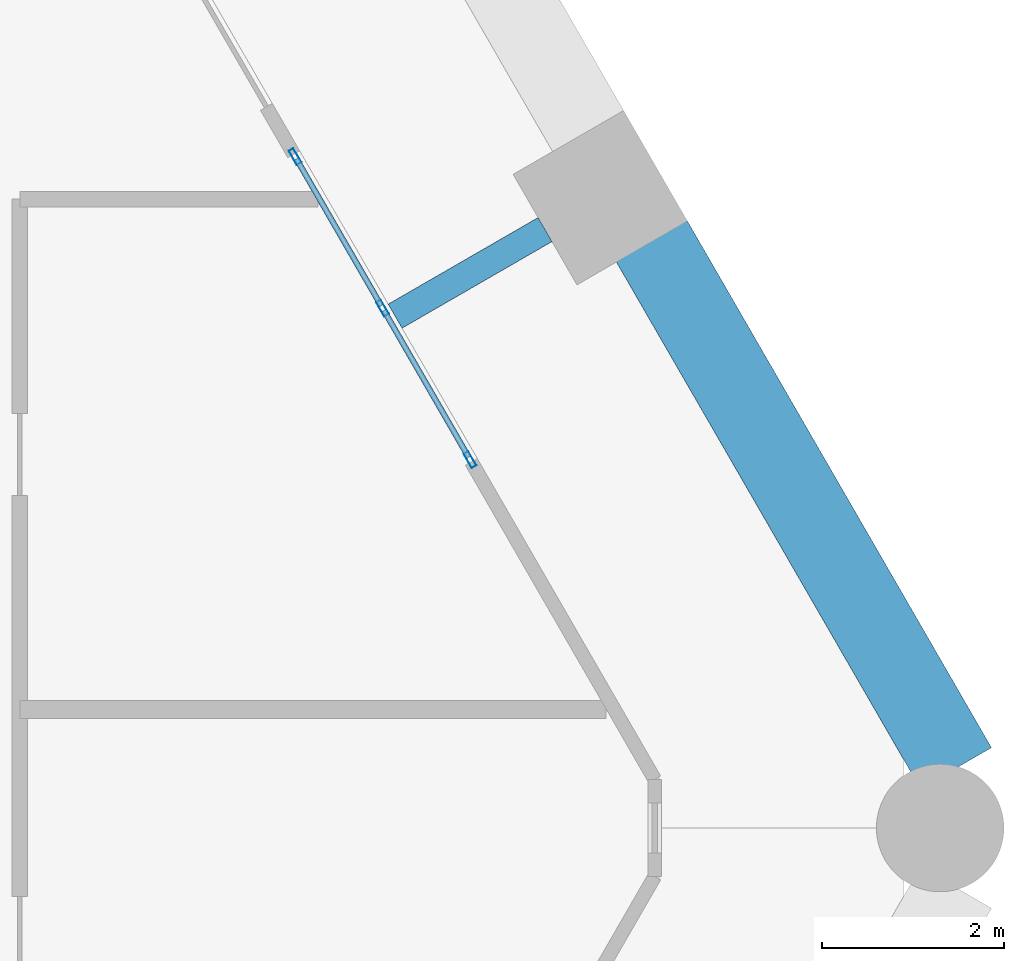
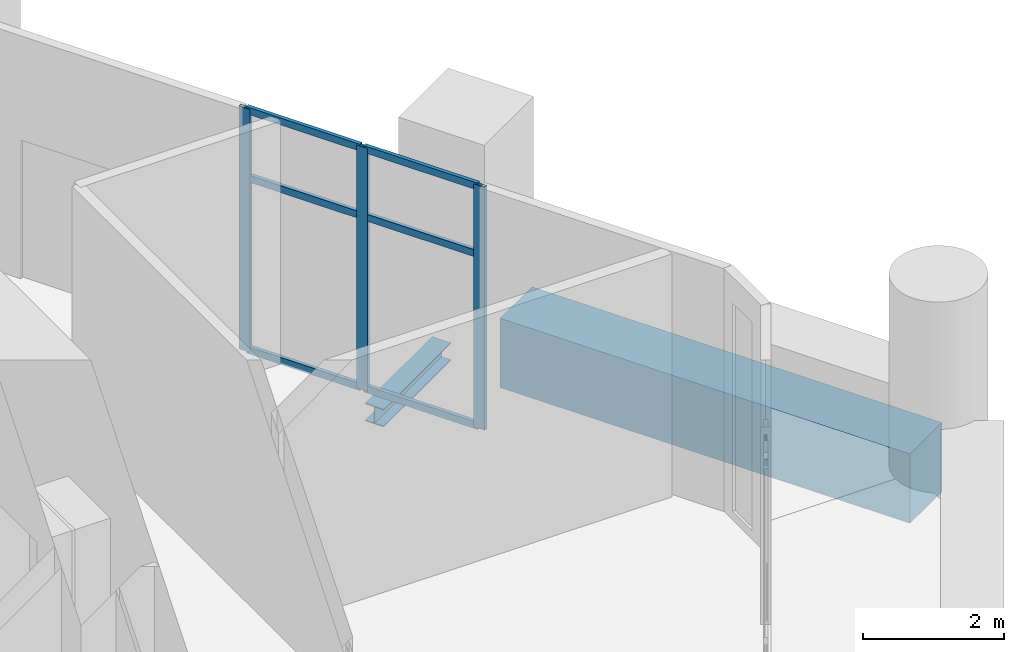
# One storey, part 8 of 18: 9 members, 2 beams, 1 element without a shape of its own.
"""IFC4 building model written with IfcOpenShell, lengths in metres."""

import ifcopenshell
import ifcopenshell.guid

model = None  # the IFC model being written
_history = None  # IfcOwnerHistory: only IFC2X3 demands one
_inside = {}  # id of a spatial element -> (the spatial element, [elements in it])
_under = {}  # id of a project, library or spatial element -> (it, [spatial elements below it])
_declared = {}  # id of a project -> (the project, [libraries it declares])
_typed = {}  # id of a type object -> (the type object, [elements of that type])
_made_of = {}  # id of a material, layer set ... -> (it, [elements and type objects made of it])


def new_model(schema):
    """Start an empty IFC model of exactly this schema.

    Asked for "IFC4X3", IfcOpenShell would pick the latest addendum, in which some entities
    have other attributes; the version numbers below select the first issue.
    IFC2X3 requires an IfcOwnerHistory on every rooted entity: one is made here for all.
    """
    global model, _history
    if schema == "IFC4X3":
        model = ifcopenshell.file(schema_version=(4, 3, 0, 0))
    else:
        model = ifcopenshell.file(schema=schema)
    _inside.clear()
    _under.clear()
    _declared.clear()
    _typed.clear()
    _made_of.clear()
    _history = None
    if model.schema == "IFC2X3":
        org = make("IfcOrganization", Name="unknown")
        user = make(
            "IfcPersonAndOrganization",
            ThePerson=make("IfcPerson", FamilyName="unknown"),
            TheOrganization=org,
        )
        app = make(
            "IfcApplication",
            ApplicationDeveloper=org,
            Version="unknown",
            ApplicationFullName="unknown",
            ApplicationIdentifier="unknown",
        )
        _history = make(
            "IfcOwnerHistory",
            OwningUser=user,
            OwningApplication=app,
            ChangeAction="ADDED",
            CreationDate=0,
        )
    return model


def make(cls, **values):
    """One entity of the class cls with the attributes given. An attribute that is None is left unset."""
    return model.create_entity(
        cls, **{name: value for name, value in values.items() if value is not None}
    )


def rooted(cls, **values):
    """An entity with a GlobalId (a new one), such as an element, a storey or a relation."""
    return make(cls, GlobalId=ifcopenshell.guid.new(), OwnerHistory=_history, **values)


def si_unit(unit_type, name, prefix=None):
    """IfcSIUnit, for example si_unit("LENGTHUNIT", "METRE", prefix="MILLI")."""
    return make("IfcSIUnit", UnitType=unit_type, Prefix=prefix, Name=name)


def assignment(units):
    """IfcUnitAssignment: the units of a project."""
    return None if units is None else make("IfcUnitAssignment", Units=units)


def point(xyz):
    """IfcCartesianPoint."""
    return None if xyz is None else make("IfcCartesianPoint", Coordinates=xyz)


def direction(xyz):
    """IfcDirection."""
    return None if xyz is None else make("IfcDirection", DirectionRatios=xyz)


def frame(location, z_axis=None, x_axis=None):
    """IfcAxis2Placement3D, a coordinate frame: its origin and axes. An axis left out is left unset."""
    return make(
        "IfcAxis2Placement3D",
        Location=point(location),
        Axis=direction(z_axis),
        RefDirection=direction(x_axis),
    )


def frame_2d(location, x_axis=None):
    """IfcAxis2Placement2D, a coordinate frame in the plane: its origin and x axis."""
    return make(
        "IfcAxis2Placement2D", Location=point(location), RefDirection=direction(x_axis)
    )


def origin():
    """The frame at (0, 0, 0) with its axes left unset."""
    return frame((0.0, 0.0, 0.0))


def origin_2d():
    """The frame at (0, 0) in the plane with its x axis left unset."""
    return frame_2d((0.0, 0.0))


def place(relative_to, where):
    """IfcLocalPlacement: puts the frame where relative to a parent placement (None: the world)."""
    return make(
        "IfcLocalPlacement", PlacementRelTo=relative_to, RelativePlacement=where
    )


def context(
    kind, dimensions, precision=None, world=None, true_north=None, identifier=None
):
    """IfcGeometricRepresentationContext, for example the 3D "Model" context."""
    return make(
        "IfcGeometricRepresentationContext",
        ContextIdentifier=identifier,
        ContextType=kind,
        CoordinateSpaceDimension=dimensions,
        Precision=precision,
        WorldCoordinateSystem=world,
        TrueNorth=true_north,
    )


def subcontext(parent, identifier, kind, view, scale=None):
    """IfcGeometricRepresentationSubContext, for example "Body" below "Model"."""
    return make(
        "IfcGeometricRepresentationSubContext",
        ContextIdentifier=identifier,
        ContextType=kind,
        ParentContext=parent,
        TargetScale=scale,
        TargetView=view,
    )


def project(units=None, contexts=None):
    """IfcProject with its units and contexts."""
    return rooted(
        "IfcProject",
        Name="project",
        RepresentationContexts=contexts,
        UnitsInContext=assignment(units),
    )


def spatial(cls, under=None, at=None, **own):
    """A site, building, storey or space (cls), placed at a placement, below another one or the project."""
    s = rooted(cls, ObjectPlacement=at, **own)
    if under is not None:
        _under.setdefault(under.id(), (under, []))[1].append(s)
    return s


def profile(cls, at=None, kind="AREA", **sizes):
    """A parametric profile (cls). Its sizes go by their IFC names, for example OverallWidth=200.0."""
    return make(cls, ProfileType=kind, Position=at, **sizes)


def rectangle(**sizes):
    """IfcRectangleProfileDef."""
    return profile("IfcRectangleProfileDef", **sizes)


def hollow_rectangle(**sizes):
    """IfcRectangleHollowProfileDef."""
    return profile("IfcRectangleHollowProfileDef", **sizes)


def i_section(**sizes):
    """IfcIShapeProfileDef."""
    return profile("IfcIShapeProfileDef", **sizes)


def extrude(swept, where, along, depth):
    """IfcExtrudedAreaSolid: the profile swept, set in the frame where, extruded along a direction by depth."""
    return make(
        "IfcExtrudedAreaSolid",
        SweptArea=swept,
        Position=where,
        ExtrudedDirection=direction(along),
        Depth=depth,
    )


def shape(context_of_items, identifier, shape_type, items):
    """IfcShapeRepresentation: the items that make up one representation, for example the "Body"."""
    return make(
        "IfcShapeRepresentation",
        ContextOfItems=context_of_items,
        RepresentationIdentifier=identifier,
        RepresentationType=shape_type,
        Items=items,
    )


def material(Name=None, Category=None):
    """IfcMaterial."""
    return make("IfcMaterial", Name=Name, Category=Category)


def material_profile(
    of_material, cross_section, Name=None, Category=None, Priority=None
):
    """IfcMaterialProfile: a cross section and its material."""
    return make(
        "IfcMaterialProfile",
        Name=Name,
        Material=of_material,
        Profile=cross_section,
        Priority=Priority,
        Category=Category,
    )


def profile_set(profiles, Name=None, composite=None):
    """IfcMaterialProfileSet."""
    return make(
        "IfcMaterialProfileSet",
        Name=Name,
        MaterialProfiles=profiles,
        CompositeProfile=composite,
    )


def made_of(thing, what):
    """Note that an element or type object is made of a material, layer set ...; save() writes the relation."""
    if what is not None:
        _made_of.setdefault(what.id(), (what, []))[1].append(thing)
    return thing


def type_object(cls, material=None, **own):
    """A type object (cls), such as IfcWallType, which elements share."""
    return made_of(rooted(cls, **own), material)


def element(
    cls,
    number,
    at=None,
    inside=None,
    cuts=None,
    type_object=None,
    material=None,
    context=None,
    identifier="Body",
    shape_type=None,
    held_by="IfcProductDefinitionShape",
    body=None,
    shapes=None,
    **own,
):
    """One element of the class cls, such as IfcWall. Its Tag is "e" and its number.

    at: its placement. inside: the storey or other place that contains it. cuts: it is an
    opening in that element (IfcRelVoidsElement). A single representation is given by context,
    identifier, shape_type and body (its items); several are given by shapes. held_by: the class
    of the entity that holds the representations. save() writes the other relations.
    """
    e = rooted(cls, Tag="e%d" % number, ObjectPlacement=at, **own)
    if body is not None:
        shapes = [shape(context, identifier, shape_type, body)]
    if shapes is not None:
        e.Representation = make(held_by, Representations=shapes)
    if inside is not None:
        _inside.setdefault(inside.id(), (inside, []))[1].append(e)
    if cuts is not None:
        rooted(
            "IfcRelVoidsElement", RelatingBuildingElement=cuts, RelatedOpeningElement=e
        )
    if type_object is not None:
        _typed.setdefault(type_object.id(), (type_object, []))[1].append(e)
    return made_of(e, material)


def aggregate(whole, parts):
    """IfcRelAggregates: a whole, such as a stair, and the parts it consists of."""
    return rooted("IfcRelAggregates", RelatingObject=whole, RelatedObjects=parts)


def save(model, path):
    """Write the relations noted so far, then the file.

    IfcRelAggregates (storeys below a building ...), IfcRelContainedInSpatialStructure (elements
    in a storey), IfcRelDefinesByType, IfcRelAssociatesMaterial and IfcRelDeclares: one each for
    every whole, place, type object, material and project.
    """
    for whole, parts in _under.values():
        aggregate(whole, parts)
    for where, things in _inside.values():
        rooted(
            "IfcRelContainedInSpatialStructure",
            RelatedElements=things,
            RelatingStructure=where,
        )
    for kind, things in _typed.values():
        rooted("IfcRelDefinesByType", RelatedObjects=things, RelatingType=kind)
    for what, things in _made_of.values():
        rooted("IfcRelAssociatesMaterial", RelatedObjects=things, RelatingMaterial=what)
    for by, libraries in _declared.values():
        rooted("IfcRelDeclares", RelatingContext=by, RelatedDefinitions=libraries)
    model.write(path)


model = new_model("IFC4")

# Units and contexts
model_context = context("Model", 3, precision=1e-05, world=origin(), true_north=direction((0.0, 1.0)))
body_context = subcontext(model_context, "Body", "Model", "MODEL_VIEW")
ifc_project = project(units=[si_unit("LENGTHUNIT", "METRE"), si_unit("AREAUNIT", "SQUARE_METRE"), si_unit("VOLUMEUNIT", "CUBIC_METRE"), si_unit("PLANEANGLEUNIT", "RADIAN"), si_unit("MASSUNIT", "GRAM", prefix="KILO")], contexts=[model_context])

# Site, building, storey
site_placement = place(None, origin())
site = spatial("IfcSite", under=ifc_project, at=site_placement, CompositionType="ELEMENT")
building_placement = place(site_placement, origin())
building = spatial("IfcBuilding", under=site, at=building_placement, Name="Ostrander Bayou Hotel Tower", CompositionType="ELEMENT")
storey_placement = place(building_placement, frame((0.0, 0.0, 14.5)))
storey = spatial("IfcBuildingStorey", under=building, at=storey_placement, Name="L03", CompositionType="ELEMENT", Elevation=14.5)

# Curtain wall, members
ifc_material_1 = material(Name="Aluminium and clear glass", Category="aluminium")
curtain_wall_type = type_object("IfcCurtainWallType", Name="CW-SKY amenity glass wall", PredefinedType="NOTDEFINED", material=ifc_material_1)
curtain_wall_placement = place(storey_placement, origin())
curtain_wall = element("IfcCurtainWall", 1, at=curtain_wall_placement, inside=storey, type_object=curtain_wall_type, Name="CW-SKY L03 NE 2", PredefinedType="NOTDEFINED")
ifc_material_2 = material(Name="Aluminium", Category="aluminium")
ifc_material_profile_1 = material_profile(ifc_material_2, hollow_rectangle(XDim=0.06005859375, YDim=0.179931640625, WallThickness=0.00390625, at=origin_2d()))
ifc_profile_set_1 = profile_set([ifc_material_profile_1], Name="Aluminium")
member_type_1 = type_object("IfcMemberType", Name="CW-SK mullion 60 x 180 mm", PredefinedType="MULLION", material=ifc_profile_set_1)
member_1_placement = place(storey_placement, frame((18.94140625, 4.042236328125, 0.0), z_axis=(0.0, 0.0, 1.0), x_axis=(-0.866025463091, -0.499999897278, 0.0)))
member_1 = element("IfcMember", 2, at=member_1_placement, type_object=member_type_1, Name="CW-SKY mullion 1", PredefinedType="MULLION", context=body_context, shape_type="SweptSolid", body=[
    extrude(hollow_rectangle(XDim=0.06005859375, YDim=0.179931640625, WallThickness=0.00390625, at=origin_2d()), origin(), (0.0, 0.0, 1.0), 4.199951171875),
])
member_2_placement = place(storey_placement, frame((17.9814453125, 5.705078125, 0.0), z_axis=(0.0, 0.0, 1.0), x_axis=(-0.866025463091, -0.499999897278, 0.0)))
member_2 = element("IfcMember", 3, at=member_2_placement, type_object=member_type_1, Name="CW-SKY mullion 2", PredefinedType="MULLION", context=body_context, shape_type="SweptSolid", body=[
    extrude(hollow_rectangle(XDim=0.06005859375, YDim=0.179931640625, WallThickness=0.00390625, at=origin_2d()), origin(), (0.0, 0.0, 1.0), 4.199951171875),
])
member_3_placement = place(storey_placement, frame((17.021484375, 7.367919921875, 0.0), z_axis=(0.0, 0.0, 1.0), x_axis=(-0.866025463091, -0.499999897278, 0.0)))
member_3 = element("IfcMember", 4, at=member_3_placement, type_object=member_type_1, Name="CW-SKY mullion 3", PredefinedType="MULLION", context=body_context, shape_type="SweptSolid", body=[
    extrude(hollow_rectangle(XDim=0.06005859375, YDim=0.179931640625, WallThickness=0.00390625, at=origin_2d()), origin(), (0.0, 0.0, 1.0), 4.199951171875),
])
ifc_material_3 = material(Name="Aluminium", Category="aluminium")
ifc_material_profile_2 = material_profile(ifc_material_3, hollow_rectangle(XDim=0.06005859375, YDim=0.1201171875, WallThickness=0.00390625, at=origin_2d()))
ifc_profile_set_2 = profile_set([ifc_material_profile_2], Name="Aluminium")
member_type_2 = type_object("IfcMemberType", Name="CW-SK transom 60 x 120 mm", PredefinedType="USERDEFINED", material=ifc_profile_set_2)
member_4_placement = place(storey_placement, frame((18.926513671875, 4.068359375, 0.030029296875), z_axis=(-0.500021687003, 0.866012882425, 0.0), x_axis=(-0.866012882425, -0.500021687003, 0.0)))
member_4 = element("IfcMember", 5, at=member_4_placement, type_object=member_type_2, Name="CW-SKY transom 1.1", ObjectType="TRANSOM", PredefinedType="USERDEFINED", context=body_context, shape_type="SweptSolid", body=[
    extrude(hollow_rectangle(XDim=0.06005859375, YDim=0.1201171875, WallThickness=0.00390625, at=origin_2d()), origin(), (0.0, 0.0, 1.0), 1.85986328125),
])
member_5_placement = place(storey_placement, frame((18.926513671875, 4.068359375, 3.0), z_axis=(-0.500021687003, 0.866012882425, 0.0), x_axis=(-0.866012882425, -0.500021687003, 0.0)))
member_5 = element("IfcMember", 6, at=member_5_placement, type_object=member_type_2, Name="CW-SKY transom 1.2", ObjectType="TRANSOM", PredefinedType="USERDEFINED", context=body_context, shape_type="SweptSolid", body=[
    extrude(hollow_rectangle(XDim=0.06005859375, YDim=0.1201171875, WallThickness=0.00390625, at=origin_2d()), origin(), (0.0, 0.0, 1.0), 1.85986328125),
])
member_6_placement = place(storey_placement, frame((18.926513671875, 4.068359375, 4.169921875), z_axis=(-0.500021687003, 0.866012882425, 0.0), x_axis=(-0.866012882425, -0.500021687003, 0.0)))
member_6 = element("IfcMember", 7, at=member_6_placement, type_object=member_type_2, Name="CW-SKY transom 1.3", ObjectType="TRANSOM", PredefinedType="USERDEFINED", context=body_context, shape_type="SweptSolid", body=[
    extrude(hollow_rectangle(XDim=0.06005859375, YDim=0.1201171875, WallThickness=0.00390625, at=origin_2d()), origin(), (0.0, 0.0, 1.0), 1.85986328125),
])
member_7_placement = place(storey_placement, frame((17.966552734375, 5.73095703125, 0.030029296875), z_axis=(-0.499964847546, 0.866045698112, 0.0), x_axis=(-0.866045698112, -0.499964847546, 0.0)))
member_7 = element("IfcMember", 8, at=member_7_placement, type_object=member_type_2, Name="CW-SKY transom 2.1", ObjectType="TRANSOM", PredefinedType="USERDEFINED", context=body_context, shape_type="SweptSolid", body=[
    extrude(hollow_rectangle(XDim=0.06005859375, YDim=0.1201171875, WallThickness=0.00390625, at=origin_2d()), origin(), (0.0, 0.0, 1.0), 1.860107421875),
])
member_8_placement = place(storey_placement, frame((17.966552734375, 5.73095703125, 3.0), z_axis=(-0.499964847546, 0.866045698112, 0.0), x_axis=(-0.866045698112, -0.499964847546, 0.0)))
member_8 = element("IfcMember", 9, at=member_8_placement, type_object=member_type_2, Name="CW-SKY transom 2.2", ObjectType="TRANSOM", PredefinedType="USERDEFINED", context=body_context, shape_type="SweptSolid", body=[
    extrude(hollow_rectangle(XDim=0.06005859375, YDim=0.1201171875, WallThickness=0.00390625, at=origin_2d()), origin(), (0.0, 0.0, 1.0), 1.860107421875),
])
member_9_placement = place(storey_placement, frame((17.966552734375, 5.73095703125, 4.169921875), z_axis=(-0.499964847546, 0.866045698112, 0.0), x_axis=(-0.866045698112, -0.499964847546, 0.0)))
member_9 = element("IfcMember", 10, at=member_9_placement, type_object=member_type_2, Name="CW-SKY transom 2.3", ObjectType="TRANSOM", PredefinedType="USERDEFINED", context=body_context, shape_type="SweptSolid", body=[
    extrude(hollow_rectangle(XDim=0.06005859375, YDim=0.1201171875, WallThickness=0.00390625, at=origin_2d()), origin(), (0.0, 0.0, 1.0), 1.860107421875),
])
aggregate(curtain_wall, [member_1, member_2, member_3, member_4, member_5, member_6, member_7, member_8, member_9])

# Beams
ifc_material_4 = material(Name="Steel ASTM A992", Category="steel")
ifc_material_profile_3 = material_profile(ifc_material_4, i_section(OverallWidth=0.3046875, OverallDepth=0.307861328125, WebThickness=0.010009765625, FlangeThickness=0.015380859375, at=origin_2d()))
ifc_profile_set_3 = profile_set([ifc_material_profile_3], Name="Steel ASTM A992")
beam_type_1 = type_object("IfcBeamType", Name="LB1 loggia bracket W12x65", PredefinedType="BEAM", material=ifc_profile_set_3)
beam_1_placement = place(storey_placement, frame((19.7646484375, 6.566650390625, -0.453857421875), z_axis=(-0.866044365799, -0.499967155389, 0.0), x_axis=(0.499967155389, -0.866044365799, 0.0)))
element("IfcBeam", 11, at=beam_1_placement, inside=storey, type_object=beam_type_1, Name="LB1 L03 NE1", PredefinedType="BEAM", context=body_context, shape_type="SweptSolid", body=[
    extrude(i_section(OverallWidth=0.3046875, OverallDepth=0.307861328125, WebThickness=0.010009765625, FlangeThickness=0.015380859375, at=origin_2d()), origin(), (0.0, 0.0, 1.0), 1.900146484375),
])
ifc_material_5 = material(Name="Concrete f'c 70 MPa", Category="concrete")
ifc_material_profile_4 = material_profile(ifc_material_5, rectangle(XDim=0.89990234375, YDim=1.199951171875, at=origin_2d()))
ifc_profile_set_4 = profile_set([ifc_material_profile_4], Name="Concrete f'c 70 MPa")
beam_type_2 = type_object("IfcBeamType", Name="SP1 spandrel beam 900 x 1200 mm f'c 70 MPa", PredefinedType="SPANDREL", material=ifc_profile_set_4)
beam_2_placement = place(storey_placement, frame((24.274169921875, 0.656005859375, -0.60009765625), z_axis=(-0.500005133765, 0.866022439784, 0.0), x_axis=(-0.866022439784, -0.500005133765, 0.0)))
element("IfcBeam", 12, at=beam_2_placement, inside=storey, type_object=beam_type_2, Name="SP1 L03 NE-1", PredefinedType="SPANDREL", context=body_context, shape_type="SweptSolid", body=[
    extrude(rectangle(XDim=0.89990234375, YDim=1.199951171875, at=origin_2d()), origin(), (0.0, 0.0, 1.0), 6.70361328125),
])

save(model, "model.ifc")
